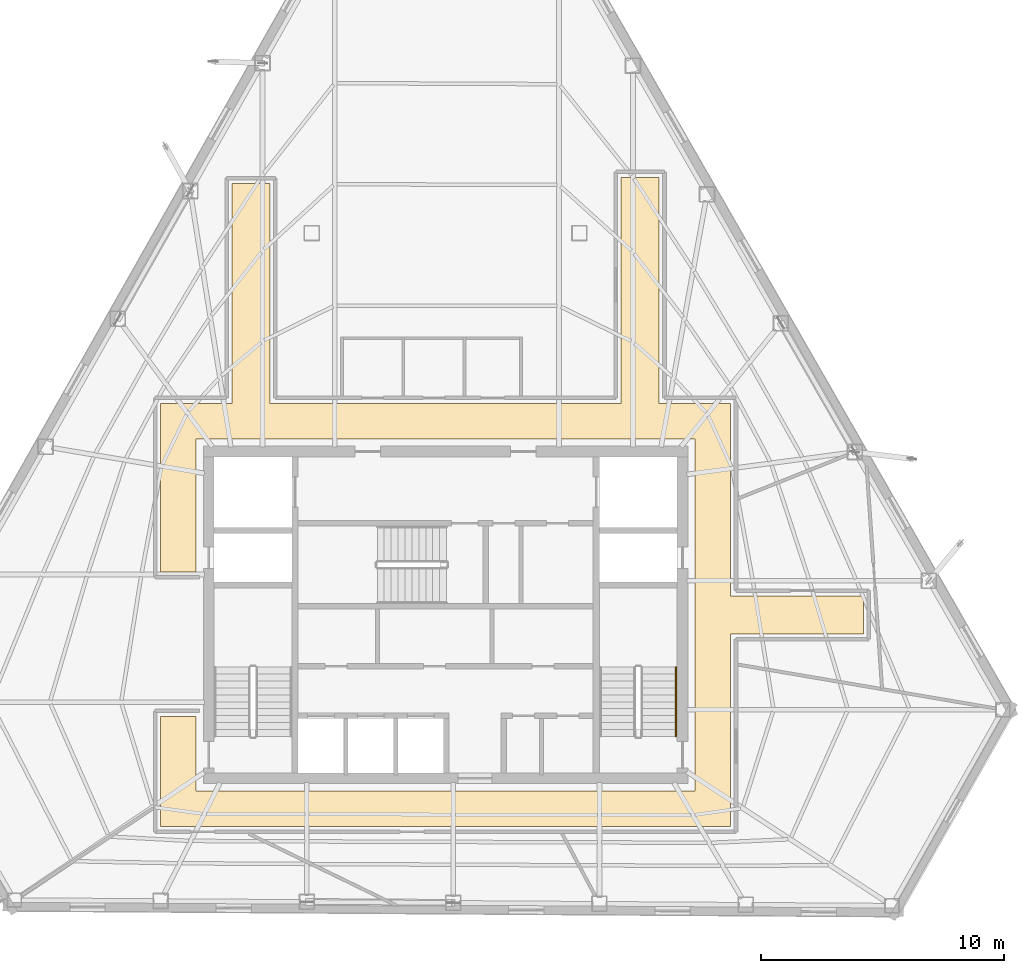
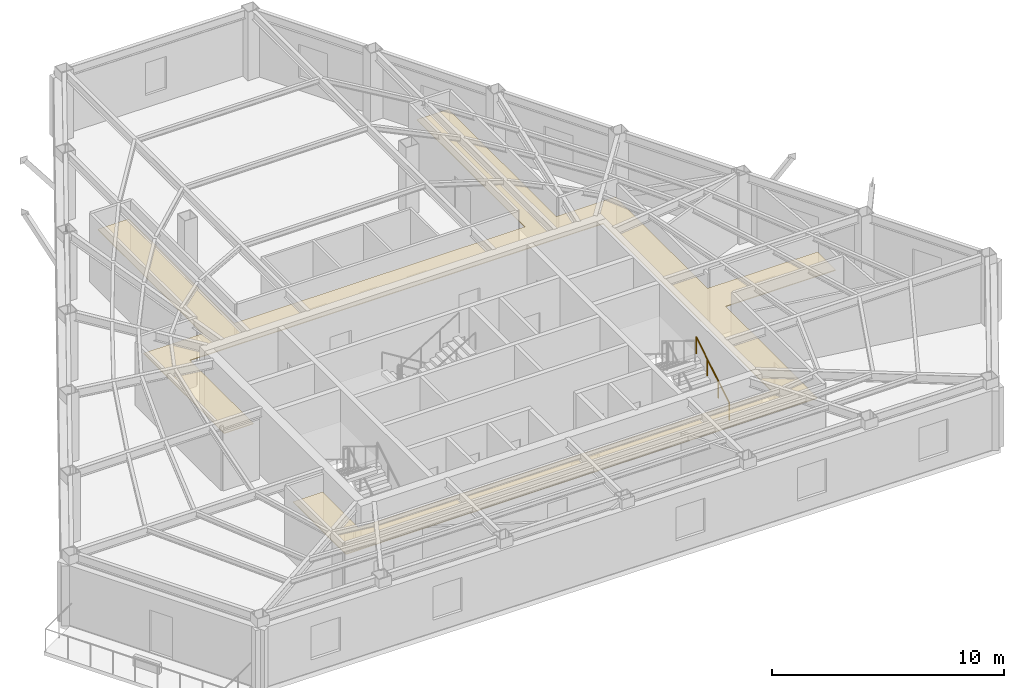
# One storey, part 11 of 11: 1 covering, 1 railing.
"""IFC4 building model written with IfcOpenShell, lengths in metres."""

from ifc_helpers import new_model, si_unit, direction, frame, origin, origin_2d, place, context, subcontext, project, spatial, polyline, circle, outline, extrude, material, layer, layer_set, type_object, element, save


model = new_model("IFC4")

# Units and contexts
model_context = context("Model", 3, precision=1e-05, world=origin(), true_north=direction((0.0, 1.0)))
body_context = subcontext(model_context, "Body", "Model", "MODEL_VIEW")
ifc_project = project(units=[si_unit("LENGTHUNIT", "METRE"), si_unit("AREAUNIT", "SQUARE_METRE"), si_unit("VOLUMEUNIT", "CUBIC_METRE"), si_unit("PLANEANGLEUNIT", "RADIAN"), si_unit("MASSUNIT", "GRAM", prefix="KILO")], contexts=[model_context])

# Site, building, storey
site_placement = place(None, origin())
site = spatial("IfcSite", under=ifc_project, at=site_placement, CompositionType="ELEMENT")
building_placement = place(site_placement, origin())
building = spatial("IfcBuilding", under=site, at=building_placement, Name="Kavelnor Concourse Tower", CompositionType="ELEMENT")
storey_placement = place(building_placement, frame((0.0, 0.0, 172.699951171875)))
storey = spatial("IfcBuildingStorey", under=building, at=storey_placement, Name="L43", CompositionType="ELEMENT", Elevation=172.699951171875)

# Covering
ifc_material_1 = material(Name="Mineral fibre acoustic ceiling tile")
ifc_layer = layer(ifc_material_1, 0.0400390625, Name="Mineral fibre acoustic ceiling tile")
ifc_layer_set = layer_set([ifc_layer], Name="Mineral fibre acoustic ceiling tile")
covering_type = type_object("IfcCoveringType", Name="COV-CEILING-ACOUSTIC", PredefinedType="CEILING", material=ifc_layer_set)
covering_placement = place(storey_placement, frame((0.0, 0.0, 2.75)))
element("IfcCovering", 1, at=covering_placement, inside=storey, type_object=covering_type, Name="L43 Suspended Acoustic Ceiling", PredefinedType="CEILING", context=body_context, shape_type="SweptSolid", body=[
    extrude(outline(polyline([(29.219970703125, 24.800048828125), (29.219970703125, 33.8359375), (30.780029296875, 33.8359375), (30.780029296875, 24.800048828125), (45.219970703125, 24.800048828125), (45.219970703125, 34.093017578125), (46.780029296875, 34.093017578125), (46.780029296875, 24.800048828125), (49.719970703125, 24.800048828125), (49.719970703125, 16.8798828125), (55.179931640625, 16.8798828125), (55.179931640625, 15.320068359375), (49.719970703125, 15.320068359375), (49.719970703125, 7.39990234375), (26.280029296875, 7.39990234375), (26.280029296875, 11.929931640625), (27.739990234375, 11.929931640625), (27.739990234375, 8.860107421875), (48.260009765625, 8.860107421875), (48.260009765625, 23.340087890625), (27.739990234375, 23.340087890625), (27.739990234375, 17.8701171875), (26.280029296875, 17.8701171875), (26.280029296875, 24.800048828125), (29.219970703125, 24.800048828125)])), origin(), (0.0, 0.0, 1.0), 0.0400390625),
])

# Railing
ifc_material_2 = material(Name="Steel Grade 350", Category="steel")
railing_type = type_object("IfcRailingType", Name="RLG-HANDRAIL-900", PredefinedType="HANDRAIL", material=ifc_material_2)
railing_placement = place(storey_placement, frame((47.469970703125, 11.10009765625, 0.175048828125)))
element("IfcRailing", 2, at=railing_placement, inside=storey, type_object=railing_type, Name="L43 ST2 stair handrail 1", PredefinedType="HANDRAIL", context=body_context, shape_type="SweptSolid", body=[
    extrude(circle(Radius=0.02392578125, at=origin_2d()), frame((0.0, 0.0, 0.8759765625), z_axis=(0.0, 0.852159232446, 0.523282564737), x_axis=(-1.0, 0.0, 0.0)), (0.0, 0.0, 1.0), 3.34423828125),
    extrude(circle(Radius=0.02099609375, at=origin_2d()), origin(), (0.0, 0.0, 1.0), 0.851806640625),
    extrude(circle(Radius=0.02099609375, at=origin_2d()), frame((0.0, 0.949951171875, 0.583251953125)), (0.0, 0.0, 1.0), 0.851806640625),
    extrude(circle(Radius=0.02099609375, at=origin_2d()), frame((0.0, 1.89990234375, 1.166748046875)), (0.0, 0.0, 1.0), 0.851806640625),
    extrude(circle(Radius=0.02099609375, at=origin_2d()), frame((0.0, 2.849853515625, 1.75)), (0.0, 0.0, 1.0), 0.851806640625),
])

save(model, "model.ifc")
